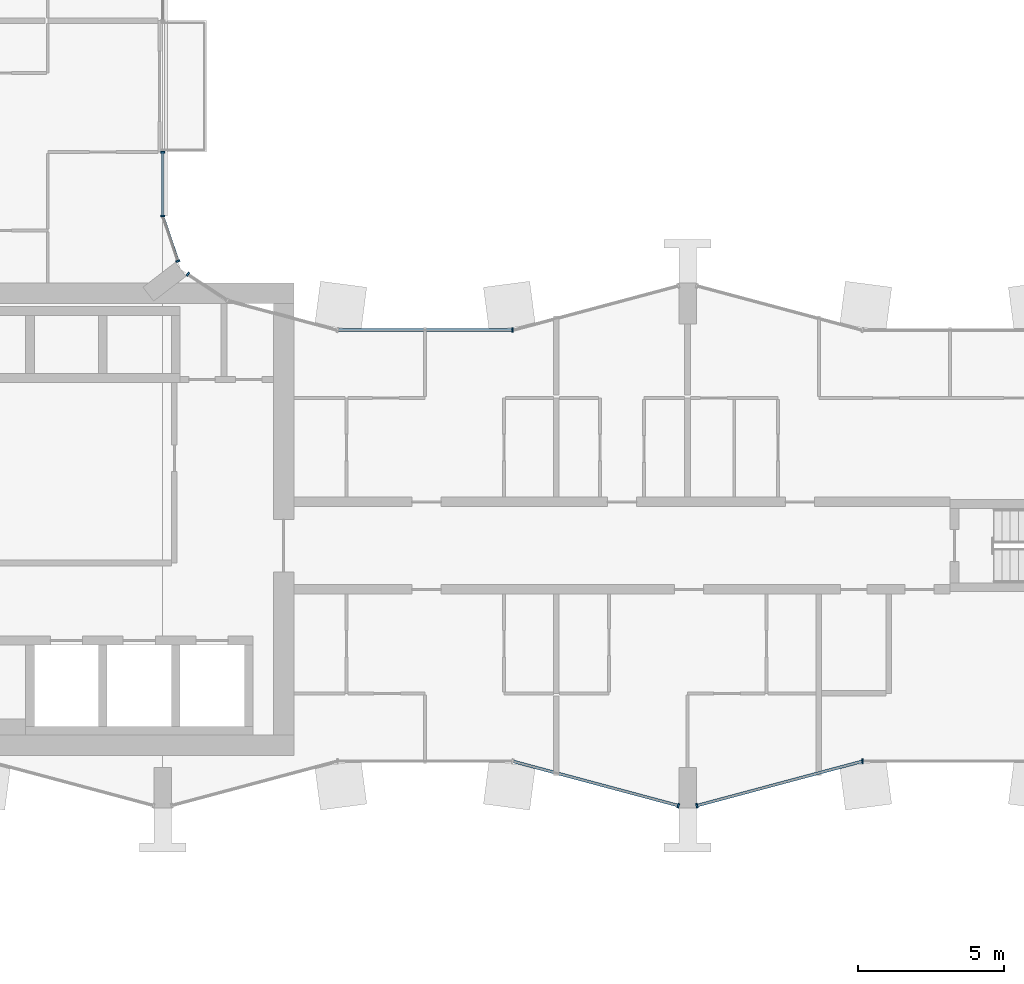
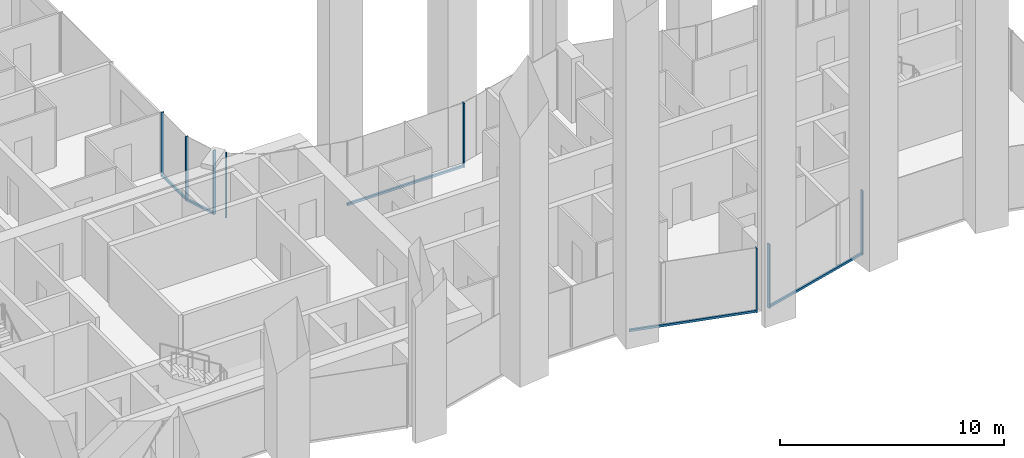
# One storey, part 4 of 27: 13 members, 7 elements without a shape of their own.
"""IFC4 building model written with IfcOpenShell, lengths in metres."""

from ifc_helpers import new_model, si_unit, direction, frame, origin, origin_2d, place, context, subcontext, project, spatial, rectangle, extrude, material, layer, layer_set, material_profile, profile_set, type_object, element, aggregate, save


model = new_model("IFC4")

# Units and contexts
model_context = context("Model", 3, precision=1e-05, world=origin(), true_north=direction((0.0, 1.0)))
body_context = subcontext(model_context, "Body", "Model", "MODEL_VIEW")
ifc_project = project(units=[si_unit("LENGTHUNIT", "METRE"), si_unit("AREAUNIT", "SQUARE_METRE"), si_unit("VOLUMEUNIT", "CUBIC_METRE"), si_unit("PLANEANGLEUNIT", "RADIAN"), si_unit("MASSUNIT", "GRAM", prefix="KILO")], contexts=[model_context])

# Site, building, storey
site_placement = place(None, origin())
site = spatial("IfcSite", under=ifc_project, at=site_placement, CompositionType="ELEMENT")
building_placement = place(site_placement, origin())
building = spatial("IfcBuilding", under=site, at=building_placement, Name="Plateau Cross Towers", CompositionType="ELEMENT")
storey_placement = place(building_placement, frame((0.0, 0.0, 78.300048828125)))
storey = spatial("IfcBuildingStorey", under=building, at=storey_placement, Name="L19", CompositionType="ELEMENT", Elevation=78.300048828125)

# Curtain wall, member
ifc_material_1 = material(Name="Dark low-iron glass", Category="glass")
ifc_layer_1 = layer(ifc_material_1, 0.239990234375)
ifc_layer_set_1 = layer_set([ifc_layer_1], Name="Dark low-iron glass")
curtain_wall_type_1 = type_object("IfcCurtainWallType", Name="Curtain wall flush unitised CW-B", PredefinedType="NOTDEFINED", material=ifc_layer_set_1)
curtain_wall_1_placement = place(storey_placement, origin())
curtain_wall_1 = element("IfcCurtainWall", 1, at=curtain_wall_1_placement, inside=storey, type_object=curtain_wall_type_1, Name="ENV/A/L19/A202_174", PredefinedType="NOTDEFINED")
ifc_material_2 = material(Name="Black anodised aluminium", Category="aluminium")
ifc_material_profile_1 = material_profile(ifc_material_2, rectangle(XDim=0.06005859375, YDim=0.139892578125, at=origin_2d()), Name="MULLION 60x140")
ifc_profile_set_1 = profile_set([ifc_material_profile_1], Name="Black anodised aluminium")
member_type_1 = type_object("IfcMemberType", Name="Mullion 60x140 flush unitised", PredefinedType="MULLION", material=ifc_profile_set_1)
member_1_placement = place(storey_placement, frame((18.86962890625, 18.30908203125, -0.25), z_axis=(0.0, 0.0, 1.0), x_axis=(-0.831521253329, 0.555492938984, 0.0)))
member_1 = element("IfcMember", 2, at=member_1_placement, type_object=member_type_1, Name="CW-B mullion 2", PredefinedType="MULLION", context=body_context, shape_type="SweptSolid", body=[
    extrude(rectangle(XDim=0.06005859375, YDim=0.139892578125, at=origin_2d()), origin(), (0.0, 0.0, 1.0), 3.5),
])
aggregate(curtain_wall_1, [member_1])

curtain_wall_2_placement = place(storey_placement, origin())
curtain_wall_2 = element("IfcCurtainWall", 3, at=curtain_wall_2_placement, inside=storey, type_object=curtain_wall_type_1, Name="ENV/A/L19/A185_188", PredefinedType="NOTDEFINED")
member_2_placement = place(storey_placement, frame((18.523681640625, 18.760009765625, -0.25), z_axis=(0.0, 0.0, 1.0), x_axis=(-0.321469161574, 0.94692004845, 0.0)))
member_2 = element("IfcMember", 4, at=member_2_placement, type_object=member_type_1, Name="CW-B mullion 1", PredefinedType="MULLION", context=body_context, shape_type="SweptSolid", body=[
    extrude(rectangle(XDim=0.06005859375, YDim=0.139892578125, at=origin_2d()), origin(), (0.0, 0.0, 1.0), 3.5),
])

# Curtain wall, members
curtain_wall_3_placement = place(storey_placement, origin())
curtain_wall_3 = element("IfcCurtainWall", 5, at=curtain_wall_3_placement, inside=storey, type_object=curtain_wall_type_1, Name="ENV/A/L19/A180_203", PredefinedType="NOTDEFINED")
member_3_placement = place(storey_placement, frame((18.0, 20.30224609375, -0.25), z_axis=(0.0, 0.0, 1.0), x_axis=(0.0, 1.0, 0.0)))
member_3 = element("IfcMember", 6, at=member_3_placement, type_object=member_type_1, Name="CW-B mullion 1", PredefinedType="MULLION", context=body_context, shape_type="SweptSolid", body=[
    extrude(rectangle(XDim=0.06005859375, YDim=0.139892578125, at=origin_2d()), origin(), (0.0, 0.0, 1.0), 3.5),
])
member_4_placement = place(storey_placement, frame((18.0, 22.489990234375, -0.25), z_axis=(0.0, 0.0, 1.0), x_axis=(0.0, 1.0, 0.0)))
member_4 = element("IfcMember", 7, at=member_4_placement, type_object=member_type_1, Name="CW-B mullion 2", PredefinedType="MULLION", context=body_context, shape_type="SweptSolid", body=[
    extrude(rectangle(XDim=0.06005859375, YDim=0.139892578125, at=origin_2d()), origin(), (0.0, 0.0, 1.0), 3.5),
])

# Curtain wall, member
ifc_layer_2 = layer(ifc_material_1, 0.260009765625)
ifc_layer_set_2 = layer_set([ifc_layer_2], Name="Dark low-iron glass")
curtain_wall_type_2 = type_object("IfcCurtainWallType", Name="Curtain wall fluted unitised CW-A", PredefinedType="NOTDEFINED", material=ifc_layer_set_2)
curtain_wall_4_placement = place(storey_placement, origin())
curtain_wall_4 = element("IfcCurtainWall", 8, at=curtain_wall_4_placement, inside=storey, type_object=curtain_wall_type_2, Name="ENV/A/L19/A300_16", PredefinedType="NOTDEFINED")
ifc_material_profile_2 = material_profile(ifc_material_2, rectangle(XDim=0.06005859375, YDim=0.159912109375, at=origin_2d()), Name="MULLION 60x160")
ifc_profile_set_2 = profile_set([ifc_material_profile_2], Name="Black anodised aluminium")
member_type_2 = type_object("IfcMemberType", Name="Mullion 60x160 fluted unitised", PredefinedType="MULLION", material=ifc_profile_set_2)
member_5_placement = place(storey_placement, frame((35.68212890625, 0.085205078125, -0.25), z_axis=(0.0, 0.0, 1.0), x_axis=(0.965957983404, -0.258699003279, 0.0)))
member_5 = element("IfcMember", 9, at=member_5_placement, type_object=member_type_2, Name="CW-A mullion 2", PredefinedType="MULLION", context=body_context, shape_type="SweptSolid", body=[
    extrude(rectangle(XDim=0.06005859375, YDim=0.159912109375, at=origin_2d()), origin(), (0.0, 0.0, 1.0), 3.5),
])

curtain_wall_5_placement = place(storey_placement, origin())
curtain_wall_5 = element("IfcCurtainWall", 10, at=curtain_wall_5_placement, inside=storey, type_object=curtain_wall_type_2, Name="ENV/A/L19/A363_1", PredefinedType="NOTDEFINED")
member_6_placement = place(storey_placement, frame((36.31787109375, 0.085205078125, -0.25), z_axis=(0.0, 0.0, 1.0), x_axis=(0.965957983404, 0.258699003279, 0.0)))
member_6 = element("IfcMember", 11, at=member_6_placement, type_object=member_type_2, Name="CW-A mullion 1", PredefinedType="MULLION", context=body_context, shape_type="SweptSolid", body=[
    extrude(rectangle(XDim=0.06005859375, YDim=0.159912109375, at=origin_2d()), origin(), (0.0, 0.0, 1.0), 3.5),
])

curtain_wall_6_placement = place(storey_placement, origin())
curtain_wall_6 = element("IfcCurtainWall", 12, at=curtain_wall_6_placement, inside=storey, type_object=curtain_wall_type_2, Name="ENV/A/L19/A420_16", PredefinedType="NOTDEFINED")
member_7_placement = place(storey_placement, frame((42.0, 1.60693359375, -0.25), z_axis=(0.0, 0.0, 1.0), x_axis=(1.0, 0.0, 0.0)))
member_7 = element("IfcMember", 13, at=member_7_placement, type_object=member_type_2, Name="CW-A mullion 1", PredefinedType="MULLION", context=body_context, shape_type="SweptSolid", body=[
    extrude(rectangle(XDim=0.06005859375, YDim=0.159912109375, at=origin_2d()), origin(), (0.0, 0.0, 1.0), 3.5),
])
aggregate(curtain_wall_6, [member_7])

curtain_wall_7_placement = place(storey_placement, origin())
curtain_wall_7 = element("IfcCurtainWall", 14, at=curtain_wall_7_placement, inside=storey, type_object=curtain_wall_type_2, Name="ENV/A/L19/A300_164", PredefinedType="NOTDEFINED")
member_8_placement = place(storey_placement, frame((30.0, 16.39306640625, -0.25), z_axis=(0.0, 0.0, 1.0), x_axis=(-1.0, 0.0, 0.0)))
member_8 = element("IfcMember", 15, at=member_8_placement, type_object=member_type_2, Name="CW-A mullion 1", PredefinedType="MULLION", context=body_context, shape_type="SweptSolid", body=[
    extrude(rectangle(XDim=0.06005859375, YDim=0.159912109375, at=origin_2d()), origin(), (0.0, 0.0, 1.0), 3.5),
])

# Member
ifc_material_profile_3 = material_profile(ifc_material_2, rectangle(XDim=0.10009765625, YDim=0.1201171875, at=origin_2d()), Name="TRANSOM 100x120")
ifc_profile_set_3 = profile_set([ifc_material_profile_3], Name="Black anodised aluminium")
member_type_3 = type_object("IfcMemberType", Name="Transom 100x120 flush unitised", PredefinedType="USERDEFINED", material=ifc_profile_set_3)
member_9_placement = place(storey_placement, frame((18.523681640625, 18.760009765625, -0.18994140625), z_axis=(-0.321529174838, 0.946899672472, 0.0), x_axis=(-0.946899672472, -0.321529174838, 0.0)))
member_9 = element("IfcMember", 16, at=member_9_placement, type_object=member_type_3, Name="CW-B transom", ObjectType="TRANSOM", PredefinedType="USERDEFINED", context=body_context, shape_type="SweptSolid", body=[
    extrude(rectangle(XDim=0.10009765625, YDim=0.1201171875, at=origin_2d()), origin(), (0.0, 0.0, 1.0), 1.628662109375),
])

aggregate(curtain_wall_2, [member_2, member_9])

member_10_placement = place(storey_placement, frame((18.0, 20.30224609375, -0.18994140625), z_axis=(0.0, 1.0, 0.0), x_axis=(-1.0, 0.0, 0.0)))
member_10 = element("IfcMember", 17, at=member_10_placement, type_object=member_type_3, Name="CW-B transom", ObjectType="TRANSOM", PredefinedType="USERDEFINED", context=body_context, shape_type="SweptSolid", body=[
    extrude(rectangle(XDim=0.10009765625, YDim=0.1201171875, at=origin_2d()), origin(), (0.0, 0.0, 1.0), 2.187744140625),
])

aggregate(curtain_wall_3, [member_3, member_4, member_10])

ifc_material_profile_4 = material_profile(ifc_material_2, rectangle(XDim=0.10009765625, YDim=0.1201171875, at=origin_2d()), Name="TRANSOM 100x120")
ifc_profile_set_4 = profile_set([ifc_material_profile_4], Name="Black anodised aluminium")
member_type_4 = type_object("IfcMemberType", Name="Transom 100x120 fluted unitised", PredefinedType="USERDEFINED", material=ifc_profile_set_4)
member_11_placement = place(storey_placement, frame((30.0, 1.60693359375, -0.18994140625), z_axis=(0.965959534794, -0.258693210465, 0.0), x_axis=(0.258693210465, 0.965959534794, 0.0)))
member_11 = element("IfcMember", 18, at=member_11_placement, type_object=member_type_4, Name="CW-A transom", ObjectType="TRANSOM", PredefinedType="USERDEFINED", context=body_context, shape_type="SweptSolid", body=[
    extrude(rectangle(XDim=0.10009765625, YDim=0.1201171875, at=origin_2d()), origin(), (0.0, 0.0, 1.0), 5.88232421875),
])

aggregate(curtain_wall_4, [member_5, member_11])

member_12_placement = place(storey_placement, frame((36.31787109375, 0.085205078125, -0.18994140625), z_axis=(0.965959534794, 0.258693210465, 0.0), x_axis=(-0.258693210465, 0.965959534794, 0.0)))
member_12 = element("IfcMember", 19, at=member_12_placement, type_object=member_type_4, Name="CW-A transom", ObjectType="TRANSOM", PredefinedType="USERDEFINED", context=body_context, shape_type="SweptSolid", body=[
    extrude(rectangle(XDim=0.10009765625, YDim=0.1201171875, at=origin_2d()), origin(), (0.0, 0.0, 1.0), 5.88232421875),
])

aggregate(curtain_wall_5, [member_6, member_12])

member_13_placement = place(storey_placement, frame((30.0, 16.39306640625, -0.18994140625), z_axis=(-1.0, 0.0, 0.0), x_axis=(0.0, -1.0, 0.0)))
member_13 = element("IfcMember", 20, at=member_13_placement, type_object=member_type_4, Name="CW-A transom", ObjectType="TRANSOM", PredefinedType="USERDEFINED", context=body_context, shape_type="SweptSolid", body=[
    extrude(rectangle(XDim=0.10009765625, YDim=0.1201171875, at=origin_2d()), origin(), (0.0, 0.0, 1.0), 6.0),
])

aggregate(curtain_wall_7, [member_8, member_13])

save(model, "model.ifc")
